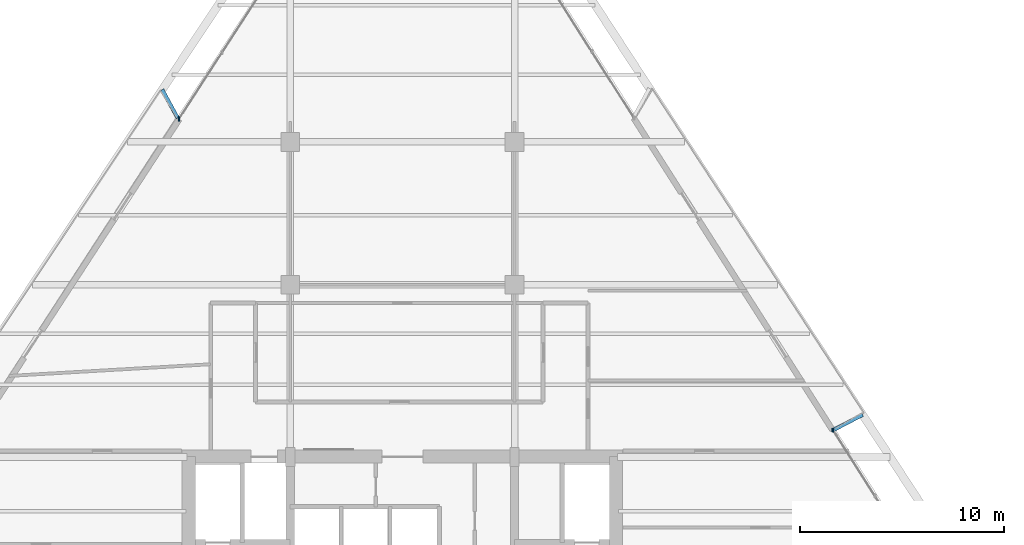
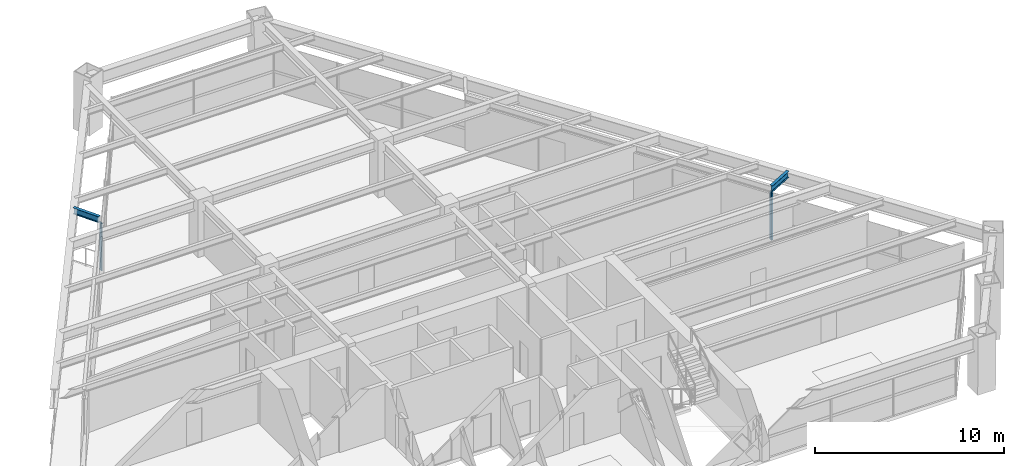
# One storey, part 8 of 15: 4 members, 2 beams, 2 elements without a shape of their own.
"""IFC4 building model written with IfcOpenShell, lengths in metres."""

from ifc_helpers import new_model, si_unit, direction, frame, origin, origin_2d, place, context, subcontext, project, spatial, rectangle, i_section, extrude, source, transform, mapped, material, material_profile, profile_set, type_object, element, aggregate, save


model = new_model("IFC4")

# Units and contexts
model_context = context("Model", 3, precision=1e-05, world=origin(), true_north=direction((0.0, 1.0)))
body_context = subcontext(model_context, "Body", "Model", "MODEL_VIEW")
ifc_project = project(units=[si_unit("LENGTHUNIT", "METRE"), si_unit("AREAUNIT", "SQUARE_METRE"), si_unit("VOLUMEUNIT", "CUBIC_METRE"), si_unit("PLANEANGLEUNIT", "RADIAN"), si_unit("MASSUNIT", "GRAM", prefix="KILO")], contexts=[model_context])

# Site, building, storey
site_placement = place(None, origin())
site = spatial("IfcSite", under=ifc_project, at=site_placement, CompositionType="ELEMENT")
building_placement = place(site_placement, origin())
building = spatial("IfcBuilding", under=site, at=building_placement, Name="Varnakhor Terracotta Tower", CompositionType="ELEMENT")
storey_placement = place(building_placement, frame((0.0, 0.0, 140.39990234375)))
storey = spatial("IfcBuildingStorey", under=building, at=storey_placement, Name="L35", CompositionType="ELEMENT", Elevation=140.39990234375)

# Curtain wall, members
ifc_material_1 = material(Name="Anodised Aluminium Curtain Wall System", Category="aluminium")
curtain_wall_type = type_object("IfcCurtainWallType", Name="CW-SYS-MID-OFFICE", PredefinedType="NOTDEFINED", material=ifc_material_1)
curtain_wall_1_placement = place(storey_placement, origin())
curtain_wall_1 = element("IfcCurtainWall", 1, at=curtain_wall_1_placement, inside=storey, type_object=curtain_wall_type, Name="L35 W Facet Curtain Wall 2", PredefinedType="NOTDEFINED")
ifc_material_2 = material(Name="Anodised Aluminium 6063-T6", Category="aluminium")
ifc_material_profile_1 = material_profile(ifc_material_2, rectangle(XDim=0.070068359375, YDim=0.175048828125, at=origin_2d()), Name="ALU MULLION 70x175")
ifc_profile_set_1 = profile_set([ifc_material_profile_1], Name="Anodised Aluminium 6063-T6")
member_type = type_object("IfcMemberType", Name="CWM-03", PredefinedType="MULLION", material=ifc_profile_set_1)
shared_shape_1 = source(origin(), body_context, "Body", "SweptSolid", [
    extrude(rectangle(XDim=0.070068359375, YDim=0.175048828125, at=origin_2d()), origin(), (0.0, 0.0, 1.0), 3.050048828125),
])
member_1_placement = place(storey_placement, frame((-10.94287109375, 32.643310546875, 0.0), z_axis=(0.0, 0.0, 1.0), x_axis=(1.0, 0.0, 0.0)))
member_1 = element("IfcMember", 2, at=member_1_placement, type_object=member_type, Name="L35 W Facet Curtain Wall 2 Mullion 1", PredefinedType="MULLION", context=body_context, shape_type="MappedRepresentation", body=[
    mapped(shared_shape_1, transform((0.0, 0.0, 0.0), scale=1.0)),
])
member_2_placement = place(storey_placement, frame((-10.9423828125, 32.607177734375, 0.0), z_axis=(0.0, 0.0, 1.0), x_axis=(1.0, 0.0, 0.0)))
member_2 = element("IfcMember", 3, at=member_2_placement, type_object=member_type, Name="L35 W Loggia Jamb Closure Mullion 2", PredefinedType="MULLION", context=body_context, shape_type="MappedRepresentation", body=[
    mapped(shared_shape_1, transform((0.0, 0.0, 0.0), scale=1.0)),
])
aggregate(curtain_wall_1, [member_1, member_2])

curtain_wall_2_placement = place(storey_placement, origin())
curtain_wall_2 = element("IfcCurtainWall", 4, at=curtain_wall_2_placement, inside=storey, type_object=curtain_wall_type, Name="L35 E Facet Curtain Wall 2", PredefinedType="NOTDEFINED")
member_3_placement = place(storey_placement, frame((21.122802734375, 17.3564453125, 0.0), z_axis=(0.0, 0.0, 1.0), x_axis=(1.0, 0.0, 0.0)))
member_3 = element("IfcMember", 5, at=member_3_placement, type_object=member_type, Name="L35 E Facet Curtain Wall 2 Mullion 1", PredefinedType="MULLION", context=body_context, shape_type="MappedRepresentation", body=[
    mapped(shared_shape_1, transform((0.0, 0.0, 0.0), scale=1.0)),
])
member_4_placement = place(storey_placement, frame((21.089599609375, 17.37109375, 0.0), z_axis=(0.0, 0.0, 1.0), x_axis=(1.0, 0.0, 0.0)))
member_4 = element("IfcMember", 6, at=member_4_placement, type_object=member_type, Name="L35 E Loggia Jamb Closure Mullion 2", PredefinedType="MULLION", context=body_context, shape_type="MappedRepresentation", body=[
    mapped(shared_shape_1, transform((0.0, 0.0, 0.0), scale=1.0)),
])
aggregate(curtain_wall_2, [member_3, member_4])

# Beams
ifc_material_3 = material(Name="Steel S355", Category="steel")
ifc_material_profile_2 = material_profile(ifc_material_3, i_section(OverallWidth=0.179931640625, OverallDepth=0.39990234375, WebThickness=0.008544921875, FlangeThickness=0.013427734375, FilletRadius=0.01806640625, at=origin_2d()), Name="IPE400")
ifc_profile_set_2 = profile_set([ifc_material_profile_2], Name="Steel S355")
beam_type = type_object("IfcBeamType", Name="JST-IPE400", PredefinedType="JOIST", material=ifc_profile_set_2)
shared_shape_2 = source(origin(), body_context, "Body", "SweptSolid", [
    extrude(i_section(OverallWidth=0.179931640625, OverallDepth=0.39990234375, WebThickness=0.008544921875, FlangeThickness=0.013427734375, FilletRadius=0.01806640625, at=origin_2d()), origin(), (0.0, 0.0, 1.0), 1.597412109375),
])
beam_1_placement = place(storey_placement, frame((-11.010986328125, 32.66357421875, 3.27001953125), z_axis=(-0.479323253974, 0.877638432499, 0.0), x_axis=(-0.877638432499, -0.479323253974, 0.0)))
element("IfcBeam", 7, at=beam_1_placement, inside=storey, type_object=beam_type, Name="L36 W Loggia Tie Beam 2", PredefinedType="JOIST", context=body_context, shape_type="MappedRepresentation", body=[
    mapped(shared_shape_2, transform((0.0, 0.0, 0.0), scale=1.0)),
])
shared_shape_3 = source(origin(), body_context, "Body", "SweptSolid", [
    extrude(i_section(OverallWidth=0.179931640625, OverallDepth=0.39990234375, WebThickness=0.008544921875, FlangeThickness=0.013427734375, FilletRadius=0.01806640625, at=origin_2d()), origin(), (0.0, 0.0, 1.0), 1.618896484375),
])
beam_2_placement = place(storey_placement, frame((21.124755859375, 17.37255859375, 3.27001953125), z_axis=(0.887631248077, 0.460554847371, 0.0), x_axis=(-0.460554847371, 0.887631248077, 0.0)))
element("IfcBeam", 8, at=beam_2_placement, inside=storey, type_object=beam_type, Name="L36 E Loggia Tie Beam 2", PredefinedType="JOIST", context=body_context, shape_type="MappedRepresentation", body=[
    mapped(shared_shape_3, transform((0.0, 0.0, 0.0), scale=1.0)),
])

save(model, "model.ifc")
